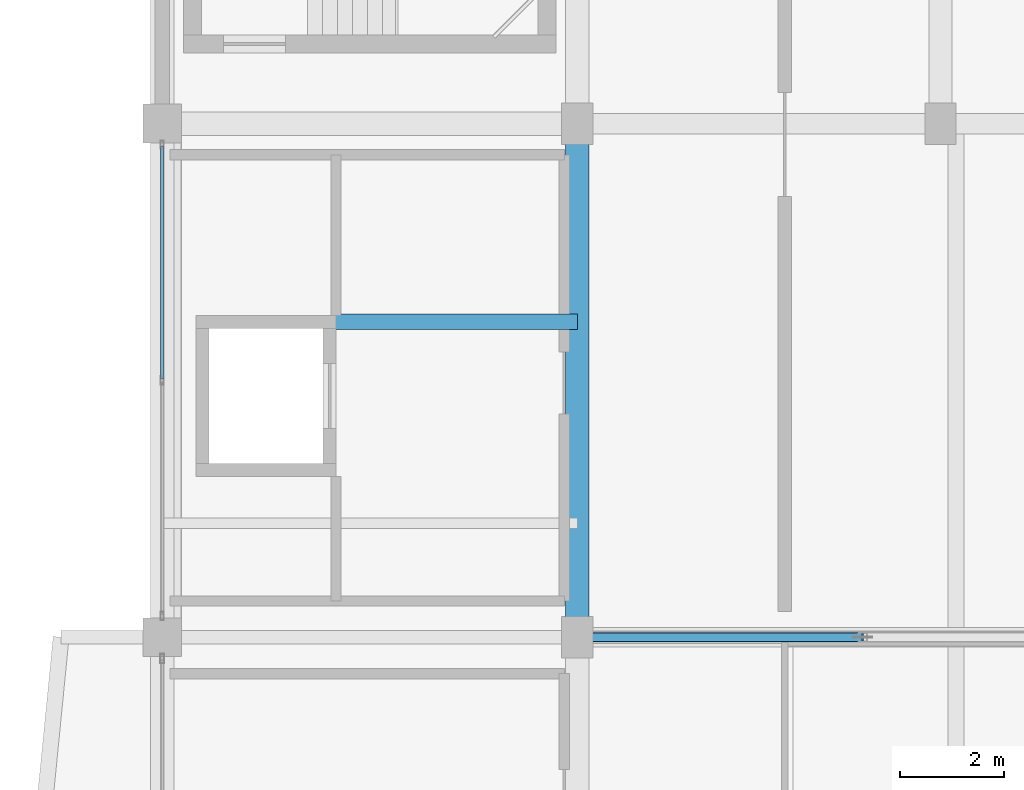
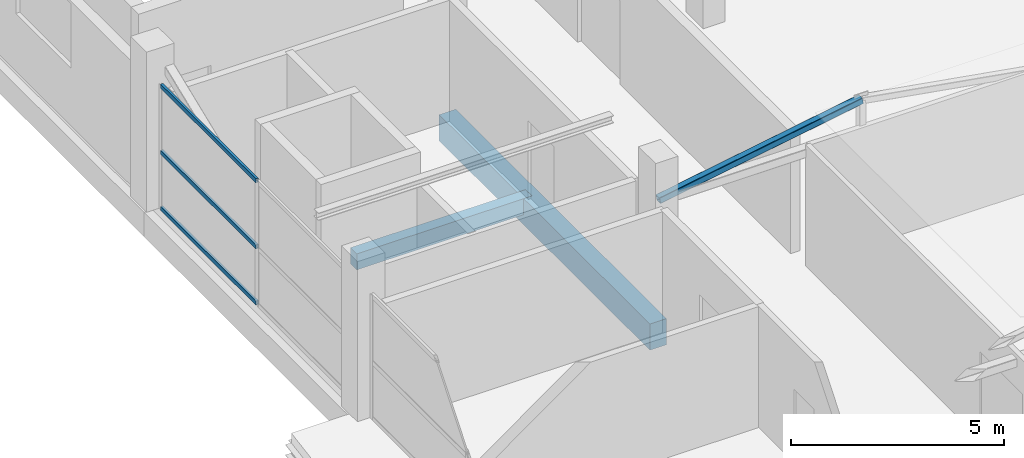
# One storey, part 22 of 58: 4 members, 2 beams, 1 element without a shape of its own.
"""IFC4 building model written with IfcOpenShell, lengths in metres."""

from ifc_helpers import new_model, si_unit, direction, frame, origin, origin_2d, place, context, subcontext, project, spatial, rectangle, hollow_rectangle, extrude, material, layer, layer_set, material_profile, profile_set, type_object, element, aggregate, save


model = new_model("IFC4")

# Units and contexts
model_context = context("Model", 3, precision=1e-05, world=origin(), true_north=direction((0.0, 1.0)))
body_context = subcontext(model_context, "Body", "Model", "MODEL_VIEW")
ifc_project = project(units=[si_unit("LENGTHUNIT", "METRE"), si_unit("AREAUNIT", "SQUARE_METRE"), si_unit("VOLUMEUNIT", "CUBIC_METRE"), si_unit("PLANEANGLEUNIT", "RADIAN"), si_unit("MASSUNIT", "GRAM", prefix="KILO")], contexts=[model_context])

# Site, building, storey
site_placement = place(None, origin())
site = spatial("IfcSite", under=ifc_project, at=site_placement, CompositionType="ELEMENT")
building_placement = place(site_placement, origin())
building = spatial("IfcBuilding", under=site, at=building_placement, Name="Sillaruma Civic Art Gallery", CompositionType="ELEMENT")
storey_placement = place(building_placement, frame((0.0, 0.0, 28.56005859375)))
storey = spatial("IfcBuildingStorey", under=building, at=storey_placement, Name="L05", CompositionType="ELEMENT", Elevation=28.56005859375)

# Beams
ifc_material_1 = material(Name="Concrete H40 (40 MPa)", Category="concrete")
ifc_material_profile_1 = material_profile(ifc_material_1, rectangle(XDim=0.449951171875, YDim=0.75, at=origin_2d()), Name="RCB450x750")
ifc_profile_set_1 = profile_set([ifc_material_profile_1], Name="Concrete H40 (40 MPa)")
beam_type_1 = type_object("IfcBeamType", Name="BM-BEAM-RCB450x750", PredefinedType="BEAM", material=ifc_profile_set_1)
beam_1_placement = place(storey_placement, frame((70.0, 69.300048828125, -0.655029296875), z_axis=(0.0, 1.0, 0.0), x_axis=(-1.0, 0.0, 0.0)))
element("IfcBeam", 1, at=beam_1_placement, inside=storey, type_object=beam_type_1, Name="Beam BM-03 (L04:G:8-9)", PredefinedType="BEAM", context=body_context, shape_type="SweptSolid", body=[
    extrude(rectangle(XDim=0.449951171875, YDim=0.75, at=origin_2d()), origin(), (0.0, 0.0, 1.0), 9.89990234375),
])
ifc_material_2 = material(Name="Concrete H35 (35 MPa)", Category="concrete")
ifc_material_profile_2 = material_profile(ifc_material_2, rectangle(XDim=0.300048828125, YDim=0.4599609375, at=origin_2d()), Name="RCB300x460")
ifc_profile_set_2 = profile_set([ifc_material_profile_2], Name="Concrete H35 (35 MPa)")
beam_type_2 = type_object("IfcBeamType", Name="BM-LINTEL-RCB300x460", PredefinedType="LINTEL", material=ifc_profile_set_2)
beam_2_placement = place(storey_placement, frame((65.25, 75.3798828125, -0.510009765625), z_axis=(1.0, 0.0, 0.0), x_axis=(0.0, 1.0, 0.0)))
element("IfcBeam", 2, at=beam_2_placement, inside=storey, type_object=beam_type_2, Name="Core Portal Coupling Lintel BL-01 (L04:FFL)", PredefinedType="LINTEL", context=body_context, shape_type="SweptSolid", body=[
    extrude(rectangle(XDim=0.300048828125, YDim=0.4599609375, at=origin_2d()), origin(), (0.0, 0.0, 1.0), 4.75),
])

# Member
ifc_material_3 = material(Name="Structural Steel ASTM A500 Gr.C", Category="steel")
ifc_material_profile_3 = material_profile(ifc_material_3, hollow_rectangle(XDim=0.179931640625, YDim=0.179931640625, WallThickness=0.010009765625, InnerFilletRadius=0.010009765625, OuterFilletRadius=0.02001953125, at=origin_2d()), Name="HSS180x180x10")
ifc_profile_set_3 = profile_set([ifc_material_profile_3], Name="Structural Steel ASTM A500 Gr.C")
member_type_1 = type_object("IfcMemberType", Name="MEM-BRACE-HSS180x180x10", PredefinedType="BRACE", material=ifc_profile_set_3)
member_1_placement = place(storey_placement, frame((70.0, 69.300048828125, 3.224853515625), z_axis=(0.985614551455, 0.0, 0.169008745218), x_axis=(0.0, 1.0, 0.0)))
element("IfcMember", 3, at=member_1_placement, inside=storey, type_object=member_type_1, Name="Warren Truss Diagonal TR-L05-3-D1", PredefinedType="BRACE", context=body_context, shape_type="SweptSolid", body=[
    extrude(hollow_rectangle(XDim=0.179931640625, YDim=0.179931640625, WallThickness=0.010009765625, InnerFilletRadius=0.010009765625, OuterFilletRadius=0.02001953125, at=origin_2d()), origin(), (0.0, 0.0, 1.0), 5.580322265625),
])

# Curtain wall, members
ifc_material_4 = material(Name="Thermally Broken Extruded Aluminium 6063-T6", Category="aluminium")
ifc_layer = layer(ifc_material_4, 0.159912109375, Name="Thermally Broken Extruded Aluminium 6063-T6")
ifc_layer_set = layer_set([ifc_layer], Name="Thermally Broken Extruded Aluminium 6063-T6")
curtain_wall_type = type_object("IfcCurtainWallType", Name="CW-UNI-30", PredefinedType="NOTDEFINED", material=ifc_layer_set)
curtain_wall_placement = place(storey_placement, origin())
curtain_wall = element("IfcCurtainWall", 4, at=curtain_wall_placement, inside=storey, type_object=curtain_wall_type, Name="Unitised Curtain Wall CW-30 (CW-L05-W-6)", PredefinedType="NOTDEFINED")
ifc_material_profile_4 = material_profile(ifc_material_4, hollow_rectangle(XDim=0.06494140625, YDim=0.1201171875, WallThickness=0.00341796875, at=origin_2d()), Name="CWT65x120")
ifc_profile_set_4 = profile_set([ifc_material_profile_4], Name="Thermally Broken Extruded Aluminium 6063-T6")
member_type_2 = type_object("IfcMemberType", Name="MEM-TRN-CWT65x120", PredefinedType="USERDEFINED", material=ifc_profile_set_4)
member_2_placement = place(storey_placement, frame((62.0, 74.282470703125, 0.032470703125), z_axis=(0.0, 1.0, 0.0), x_axis=(-1.0, 0.0, 0.0)))
member_2 = element("IfcMember", 5, at=member_2_placement, type_object=member_type_2, Name="CW-30 transom 2.1", ObjectType="TRANSOM", PredefinedType="USERDEFINED", context=body_context, shape_type="SweptSolid", body=[
    extrude(hollow_rectangle(XDim=0.06494140625, YDim=0.1201171875, WallThickness=0.00341796875, at=origin_2d()), origin(), (0.0, 0.0, 1.0), 4.4775390625),
])
member_3_placement = place(storey_placement, frame((62.0, 74.282470703125, 1.64208984375), z_axis=(0.0, 1.0, 0.0), x_axis=(-1.0, 0.0, 0.0)))
member_3 = element("IfcMember", 6, at=member_3_placement, type_object=member_type_2, Name="CW-30 transom 2.2", ObjectType="TRANSOM", PredefinedType="USERDEFINED", context=body_context, shape_type="SweptSolid", body=[
    extrude(hollow_rectangle(XDim=0.06494140625, YDim=0.1201171875, WallThickness=0.00341796875, at=origin_2d()), origin(), (0.0, 0.0, 1.0), 4.4775390625),
])
member_4_placement = place(storey_placement, frame((62.0, 74.282470703125, 3.537353515625), z_axis=(0.0, 1.0, 0.0), x_axis=(-1.0, 0.0, 0.0)))
member_4 = element("IfcMember", 7, at=member_4_placement, type_object=member_type_2, Name="CW-30 transom 2.3", ObjectType="TRANSOM", PredefinedType="USERDEFINED", context=body_context, shape_type="SweptSolid", body=[
    extrude(hollow_rectangle(XDim=0.06494140625, YDim=0.1201171875, WallThickness=0.00341796875, at=origin_2d()), origin(), (0.0, 0.0, 1.0), 4.4775390625),
])
aggregate(curtain_wall, [member_2, member_3, member_4])

save(model, "model.ifc")
